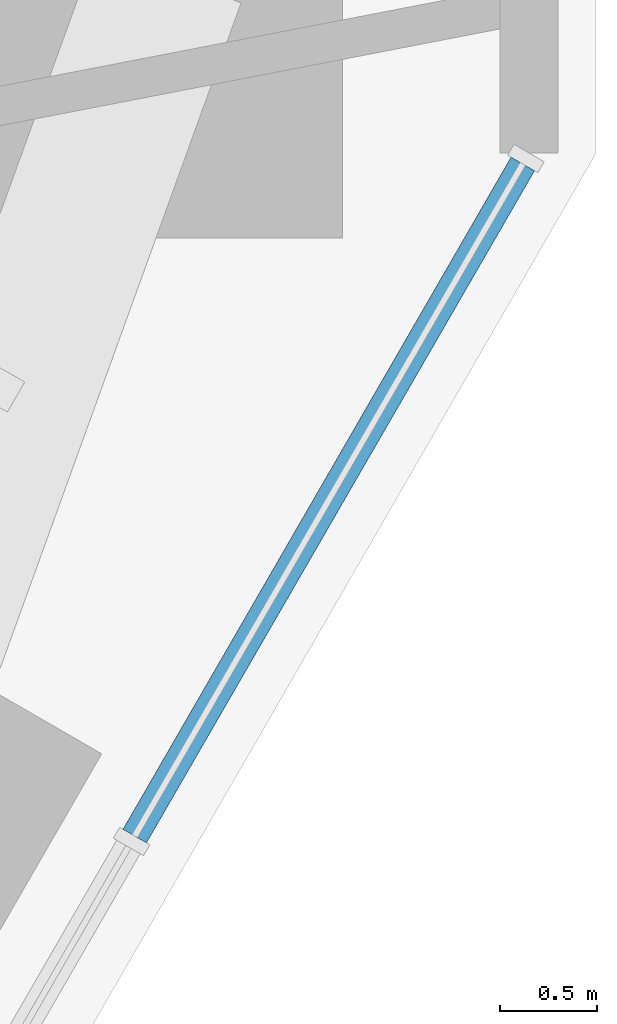
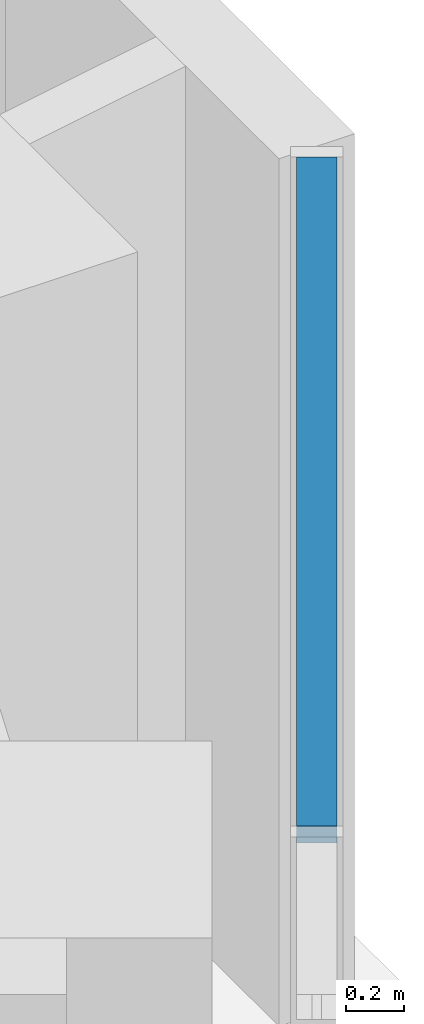
# One storey, part 6 of 17: 1 member, 1 element without a shape of its own.
"""IFC4 building model written with IfcOpenShell, lengths in metres."""

from ifc_helpers import new_model, si_unit, direction, frame, origin, origin_2d, place, context, subcontext, project, spatial, rectangle, extrude, material, material_profile, profile_set, type_object, element, aggregate, save


model = new_model("IFC4")

# Units and contexts
model_context = context("Model", 3, precision=1e-05, world=origin(), true_north=direction((0.0, 1.0)))
body_context = subcontext(model_context, "Body", "Model", "MODEL_VIEW")
ifc_project = project(units=[si_unit("LENGTHUNIT", "METRE"), si_unit("AREAUNIT", "SQUARE_METRE"), si_unit("VOLUMEUNIT", "CUBIC_METRE"), si_unit("PLANEANGLEUNIT", "RADIAN"), si_unit("MASSUNIT", "GRAM", prefix="KILO")], contexts=[model_context])

# Site, building, storey
site_placement = place(None, origin())
site = spatial("IfcSite", under=ifc_project, at=site_placement, CompositionType="ELEMENT")
building_placement = place(site_placement, origin())
building = spatial("IfcBuilding", under=site, at=building_placement, Name="Sandreach Pilgrim Tower", CompositionType="ELEMENT")
storey_placement = place(building_placement, frame((0.0, 0.0, 123.39990234375)))
storey = spatial("IfcBuildingStorey", under=building, at=storey_placement, Name="L30", CompositionType="ELEMENT", Elevation=123.39990234375)

# Curtain wall, member
ifc_material_1 = material(Name="Aluminium framed curtain wall", Category="aluminium")
curtain_wall_type = type_object("IfcCurtainWallType", Name="Hotel tower curtain wall", PredefinedType="NOTDEFINED", material=ifc_material_1)
curtain_wall_placement = place(storey_placement, origin())
curtain_wall = element("IfcCurtainWall", 1, at=curtain_wall_placement, inside=storey, type_object=curtain_wall_type, Name="CW-2 L30 SE", PredefinedType="NOTDEFINED")
ifc_material_2 = material(Name="Aluminium extrusion", Category="aluminium")
ifc_material_profile = material_profile(ifc_material_2, rectangle(XDim=0.139892578125, YDim=0.070068359375, at=origin_2d()), Name="CW-2T 140X70")
ifc_profile_set = profile_set([ifc_material_profile], Name="Aluminium extrusion")
member_type = type_object("IfcMemberType", Name="CW-2 transom", PredefinedType="USERDEFINED", material=ifc_profile_set)
member_placement = place(storey_placement, frame((28.6884765625, 4.7021484375, 3.60498046875), z_axis=(-0.500015851672, -0.866016251624, 0.0), x_axis=(0.866016251624, -0.500015851672, 0.0)))
member = element("IfcMember", 2, at=member_placement, type_object=member_type, Name="CW-2 head transom 1", ObjectType="TRANSOM", PredefinedType="USERDEFINED", context=body_context, shape_type="SweptSolid", body=[
    extrude(rectangle(XDim=0.139892578125, YDim=0.070068359375, at=origin_2d()), origin(), (0.0, 0.0, 1.0), 4.009521484375),
])
aggregate(curtain_wall, [member])

save(model, "model.ifc")
